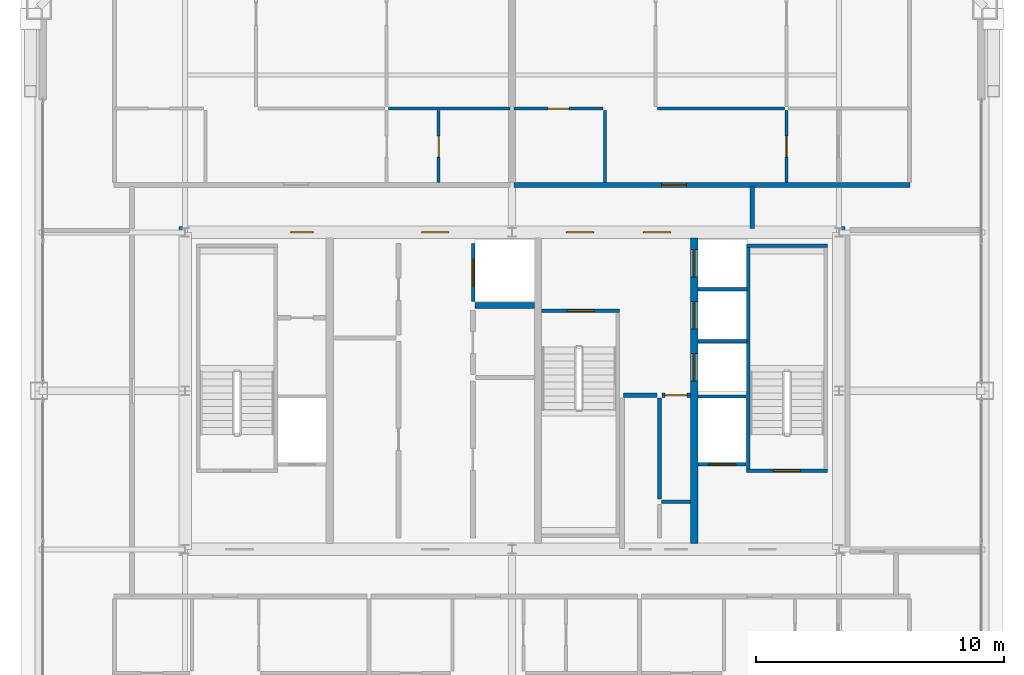
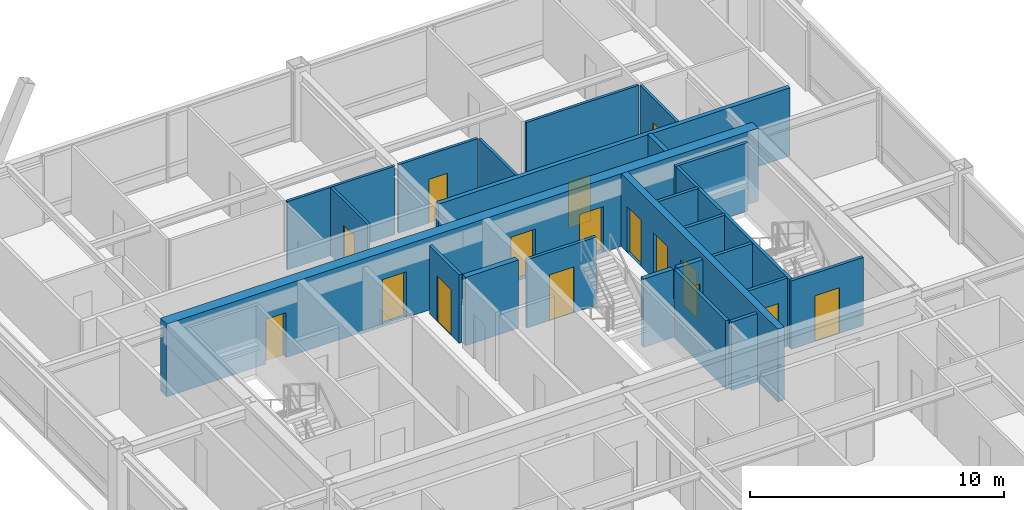
# One storey, part 32 of 35: 24 walls, 16 doors, 16 openings.
"""IFC4 building model written with IfcOpenShell, lengths in metres."""

from ifc_helpers import new_model, si_unit, direction, frame, frame_2d, origin, place, context, subcontext, project, spatial, rectangle, extrude, source, transform, mapped, material, layer, layer_set, type_object, element, fill, save


model = new_model("IFC4")

# Units and contexts
model_context = context("Model", 3, precision=1e-05, world=origin(), true_north=direction((0.0, 1.0)))
body_context = subcontext(model_context, "Body", "Model", "MODEL_VIEW")
ifc_project = project(units=[si_unit("LENGTHUNIT", "METRE"), si_unit("AREAUNIT", "SQUARE_METRE"), si_unit("VOLUMEUNIT", "CUBIC_METRE"), si_unit("PLANEANGLEUNIT", "RADIAN"), si_unit("MASSUNIT", "GRAM", prefix="KILO"), si_unit("THERMODYNAMICTEMPERATUREUNIT", "KELVIN"), si_unit("POWERUNIT", "WATT")], contexts=[model_context])

# Site, building, storey
site_placement = place(None, origin())
site = spatial("IfcSite", under=ifc_project, at=site_placement, CompositionType="ELEMENT")
building_placement = place(site_placement, origin())
building = spatial("IfcBuilding", under=site, at=building_placement, Name="Yuzanri Waterfront Tower", CompositionType="ELEMENT")
storey_placement = place(building_placement, frame((0.0, 0.0, 314.699951171875)))
storey = spatial("IfcBuildingStorey", under=building, at=storey_placement, Name="L84", CompositionType="ELEMENT", Elevation=314.699951171875)

# Wall, opening, door
ifc_material_1 = material(Name="Moisture-Resistant Gypsum Stud Wall", Category="gypsum")
ifc_layer_1 = layer(ifc_material_1, 0.1201171875)
ifc_layer_set_1 = layer_set([ifc_layer_1], Name="Moisture-Resistant Gypsum Stud Wall")
wall_type_1 = type_object("IfcWallType", Name="Bathroom and Kitchen Wet Partition 120", PredefinedType="PARTITIONING", material=ifc_layer_set_1)
wall_1_placement = place(storey_placement, frame((34.0400390625, 34.2099609375, 0.0), z_axis=(0.0, 0.0, 1.0), x_axis=(0.0, 1.0, 0.0)))
wall_1 = element("IfcWall", 1, at=wall_1_placement, inside=storey, type_object=wall_type_1, Name="L84 Partition UW-L84-HN1-SUB-2-W", PredefinedType="PARTITIONING", context=body_context, shape_type="SweptSolid", body=[
    extrude(rectangle(XDim=2.900146484375, YDim=0.1201171875, at=frame_2d((1.4501953125, 0.0))), origin(), (0.0, 0.0, 1.0), 3.280029296875),
])
opening_1_placement = place(wall_1_placement, frame((1.02490234375, 0.0, 0.0)))
opening_1 = element("IfcOpeningElement", 2, at=opening_1_placement, cuts=wall_1, Name="Opening ID-0850", PredefinedType="OPENING", context=body_context, shape_type="SweptSolid", body=[
    extrude(rectangle(XDim=0.85009765625, YDim=2.10009765625, at=frame_2d((0.425048828125, 1.050048828125))), frame((0.0, 0.074951171875, 0.0), z_axis=(0.0, -1.0, 0.0), x_axis=(1.0, 0.0, 0.0)), (0.0, 0.0, 1.0), 0.14990234375),
])
ifc_material_2 = material(Name="Moisture-Resistant Lacquered Timber", Category="wood")
door_type_1 = type_object("IfcDoorType", Name="En-Suite Bathroom and Kitchen Swing Door 850x2100", OperationType="NOTDEFINED", PredefinedType="DOOR", material=ifc_material_2)
shared_shape_1 = source(origin(), body_context, "Body", "SweptSolid", [
    extrude(rectangle(XDim=0.85009765625, YDim=2.10009765625, at=frame_2d((0.425048828125, 1.050048828125))), frame((0.0, 0.02490234375, 0.0), z_axis=(0.0, -1.0, 0.0), x_axis=(1.0, 0.0, 0.0)), (0.0, 0.0, 1.0), 0.050048828125),
])
door_1_placement = place(opening_1_placement, origin())
door_1 = element("IfcDoor", 3, at=door_1_placement, inside=storey, type_object=door_type_1, Name="L84 Suite Interior Room Door", OperationType="SINGLE_SWING_RIGHT", OverallHeight=2.10009765625, OverallWidth=0.85009765625, PredefinedType="DOOR", context=body_context, shape_type="MappedRepresentation", body=[
    mapped(shared_shape_1, transform((0.0, 0.0, 0.0), scale=1.0)),
])
fill(opening_1, door_1)

wall_2_placement = place(storey_placement, frame((37.080078125, 37.18994140625, 0.0), z_axis=(0.0, 0.0, 1.0), x_axis=(1.0, 0.0, 0.0)))
wall_2 = element("IfcWall", 4, at=wall_2_placement, inside=storey, type_object=wall_type_1, Name="L84 Partition UW-L84-HN2-SUB-1-N", PredefinedType="PARTITIONING", context=body_context, shape_type="SweptSolid", body=[
    extrude(rectangle(XDim=3.599853515625, YDim=0.1201171875, at=frame_2d((1.7998046875, 0.0))), origin(), (0.0, 0.0, 1.0), 3.280029296875),
])
opening_2_placement = place(wall_2_placement, frame((1.375, 0.0, 0.0)))
opening_2 = element("IfcOpeningElement", 5, at=opening_2_placement, cuts=wall_2, Name="Opening ID-0850", PredefinedType="OPENING", context=body_context, shape_type="SweptSolid", body=[
    extrude(rectangle(XDim=0.85009765625, YDim=2.10009765625, at=frame_2d((0.425048828125, 1.050048828125))), frame((0.0, 0.074951171875, 0.0), z_axis=(0.0, -1.0, 0.0), x_axis=(1.0, 0.0, 0.0)), (0.0, 0.0, 1.0), 0.14990234375),
])
door_2_placement = place(opening_2_placement, origin())
door_2 = element("IfcDoor", 6, at=door_2_placement, inside=storey, type_object=door_type_1, Name="L84 Suite Interior Room Door", OperationType="SINGLE_SWING_LEFT", OverallHeight=2.10009765625, OverallWidth=0.85009765625, PredefinedType="DOOR", context=body_context, shape_type="MappedRepresentation", body=[
    mapped(shared_shape_1, transform((0.0, 0.0, 0.0), scale=1.0)),
])
fill(opening_2, door_2)

wall_3_placement = place(storey_placement, frame((48.08203125, 34.2099609375, 0.0), z_axis=(0.0, 0.0, 1.0), x_axis=(0.0, 1.0, 0.0)))
wall_3 = element("IfcWall", 7, at=wall_3_placement, inside=storey, type_object=wall_type_1, Name="L84 Partition UW-L84-HN2-SUB-4-W", PredefinedType="PARTITIONING", context=body_context, shape_type="SweptSolid", body=[
    extrude(rectangle(XDim=2.900146484375, YDim=0.1201171875, at=frame_2d((1.4501953125, 0.0))), origin(), (0.0, 0.0, 1.0), 3.280029296875),
])
opening_3_placement = place(wall_3_placement, frame((1.02490234375, 0.0, 0.0)))
opening_3 = element("IfcOpeningElement", 8, at=opening_3_placement, cuts=wall_3, Name="Opening ID-0850", PredefinedType="OPENING", context=body_context, shape_type="SweptSolid", body=[
    extrude(rectangle(XDim=0.85009765625, YDim=2.10009765625, at=frame_2d((0.425048828125, 1.050048828125))), frame((0.0, 0.074951171875, 0.0), z_axis=(0.0, -1.0, 0.0), x_axis=(1.0, 0.0, 0.0)), (0.0, 0.0, 1.0), 0.14990234375),
])
door_3_placement = place(opening_3_placement, origin())
door_3 = element("IfcDoor", 9, at=door_3_placement, inside=storey, type_object=door_type_1, Name="L84 Suite Interior Room Door", OperationType="SINGLE_SWING_RIGHT", OverallHeight=2.10009765625, OverallWidth=0.85009765625, PredefinedType="DOOR", context=body_context, shape_type="MappedRepresentation", body=[
    mapped(shared_shape_1, transform((0.0, 0.0, 0.0), scale=1.0)),
])
fill(opening_3, door_3)

# Wall, openings, doors
ifc_material_3 = material(Name="Concrete C45", Category="concrete")
ifc_layer_2 = layer(ifc_material_3, 0.47998046875)
ifc_layer_set_2 = layer_set([ifc_layer_2], Name="Concrete C45")
wall_type_2 = type_object("IfcWallType", Name="Concrete C45 High-Rise Core Shear Wall 480", PredefinedType="SHEAR", material=ifc_layer_set_2)
wall_4_placement = place(storey_placement, frame((23.56005859375, 32.199951171875, 0.0), z_axis=(0.0, 0.0, 1.0), x_axis=(1.0, 0.0, 0.0)))
wall_4 = element("IfcWall", 10, at=wall_4_placement, inside=storey, type_object=wall_type_2, Name="L84 Core North Shear Wall", PredefinedType="SHEAR", context=body_context, shape_type="SweptSolid", body=[
    extrude(rectangle(XDim=26.8798828125, YDim=0.47998046875, at=frame_2d((13.43994140625, 0.0))), origin(), (0.0, 0.0, 1.0), 3.5),
])
opening_4_placement = place(wall_4_placement, frame((4.510009765625, 0.0, 0.0)))
opening_4 = element("IfcOpeningElement", 11, at=opening_4_placement, cuts=wall_4, Name="Opening FD-0900", PredefinedType="OPENING", context=body_context, shape_type="SweptSolid", body=[
    extrude(rectangle(XDim=0.89990234375, YDim=2.14990234375, at=frame_2d((0.449951171875, 1.074951171875))), frame((0.0, 0.2548828125, 0.0), z_axis=(0.0, -1.0, 0.0), x_axis=(1.0, 0.0, 0.0)), (0.0, 0.0, 1.0), 0.509765625),
])
opening_5_placement = place(wall_4_placement, frame((9.7900390625, 0.0, 0.0)))
opening_5 = element("IfcOpeningElement", 12, at=opening_5_placement, cuts=wall_4, Name="Opening FD-1100", PredefinedType="OPENING", context=body_context, shape_type="SweptSolid", body=[
    extrude(rectangle(XDim=1.10009765625, YDim=2.199951171875, at=frame_2d((0.550048828125, 1.10009765625))), frame((0.0, 0.2548828125, 0.0), z_axis=(0.0, -1.0, 0.0), x_axis=(1.0, 0.0, 0.0)), (0.0, 0.0, 1.0), 0.509765625),
])
opening_6_placement = place(wall_4_placement, frame((15.639892578125, 0.0, 0.0)))
opening_6 = element("IfcOpeningElement", 13, at=opening_6_placement, cuts=wall_4, Name="Opening FD-1100", PredefinedType="OPENING", context=body_context, shape_type="SweptSolid", body=[
    extrude(rectangle(XDim=1.10009765625, YDim=2.199951171875, at=frame_2d((0.550048828125, 1.10009765625))), frame((0.0, 0.2548828125, 0.0), z_axis=(0.0, -1.0, 0.0), x_axis=(1.0, 0.0, 0.0)), (0.0, 0.0, 1.0), 0.509765625),
])
opening_7_placement = place(wall_4_placement, frame((18.739990234375, 0.0, 0.0)))
opening_7 = element("IfcOpeningElement", 14, at=opening_7_placement, cuts=wall_4, Name="Opening FD-1100", PredefinedType="OPENING", context=body_context, shape_type="SweptSolid", body=[
    extrude(rectangle(XDim=1.10009765625, YDim=2.199951171875, at=frame_2d((0.550048828125, 1.10009765625))), frame((0.0, 0.2548828125, 0.0), z_axis=(0.0, -1.0, 0.0), x_axis=(1.0, 0.0, 0.0)), (0.0, 0.0, 1.0), 0.509765625),
])
ifc_material_4 = material(Name="Painted Galvanized Fire Steel", Category="steel")
door_type_2 = type_object("IfcDoorType", Name="Smoke-Proof Stair and Lobby Fire Door 1100x2200", OperationType="NOTDEFINED", PredefinedType="DOOR", material=ifc_material_4)
shared_shape_2 = source(origin(), body_context, "Body", "SweptSolid", [
    extrude(rectangle(XDim=1.10009765625, YDim=2.199951171875, at=frame_2d((0.550048828125, 1.10009765625))), frame((0.0, 0.02490234375, 0.0), z_axis=(0.0, -1.0, 0.0), x_axis=(1.0, 0.0, 0.0)), (0.0, 0.0, 1.0), 0.050048828125),
])
door_4_placement = place(opening_5_placement, origin())
door_4 = element("IfcDoor", 15, at=door_4_placement, inside=storey, type_object=door_type_2, Name="L84 Central Lift Lobby North Door", OperationType="SINGLE_SWING_LEFT", OverallHeight=2.199951171875, OverallWidth=1.10009765625, PredefinedType="DOOR", context=body_context, shape_type="MappedRepresentation", body=[
    mapped(shared_shape_2, transform((0.0, 0.0, 0.0), scale=1.0)),
])
fill(opening_5, door_4)
door_5_placement = place(opening_6_placement, origin())
door_5 = element("IfcDoor", 16, at=door_5_placement, inside=storey, type_object=door_type_2, Name="L84 North Stair Lobby Door", OperationType="SINGLE_SWING_RIGHT", OverallHeight=2.199951171875, OverallWidth=1.10009765625, PredefinedType="DOOR", context=body_context, shape_type="MappedRepresentation", body=[
    mapped(shared_shape_2, transform((0.0, 0.0, 0.0), scale=1.0)),
])
fill(opening_6, door_5)
door_6_placement = place(opening_7_placement, origin())
door_6 = element("IfcDoor", 17, at=door_6_placement, inside=storey, type_object=door_type_2, Name="L84 High-Rise Lift Lobby North Door", OperationType="SINGLE_SWING_LEFT", OverallHeight=2.199951171875, OverallWidth=1.10009765625, PredefinedType="DOOR", context=body_context, shape_type="MappedRepresentation", body=[
    mapped(shared_shape_2, transform((0.0, 0.0, 0.0), scale=1.0)),
])
fill(opening_7, door_6)
ifc_material_5 = material(Name="Painted Galvanized Fire Steel", Category="steel")
door_type_3 = type_object("IfcDoorType", Name="Riser and Service Room Fire Door 900x2150", OperationType="NOTDEFINED", PredefinedType="DOOR", material=ifc_material_5)
shared_shape_3 = source(origin(), body_context, "Body", "SweptSolid", [
    extrude(rectangle(XDim=0.89990234375, YDim=2.14990234375, at=frame_2d((0.449951171875, 1.074951171875))), frame((0.0, 0.02490234375, 0.0), z_axis=(0.0, -1.0, 0.0), x_axis=(1.0, 0.0, 0.0)), (0.0, 0.0, 1.0), 0.050048828125),
])
door_7_placement = place(opening_4_placement, origin())
door_7 = element("IfcDoor", 18, at=door_7_placement, inside=storey, type_object=door_type_3, Name="L84 Telecom Riser Door", OperationType="SINGLE_SWING_RIGHT", OverallHeight=2.14990234375, OverallWidth=0.89990234375, PredefinedType="DOOR", context=body_context, shape_type="MappedRepresentation", body=[
    mapped(shared_shape_3, transform((0.0, 0.0, 0.0), scale=1.0)),
])
fill(opening_4, door_7)

ifc_material_6 = material(Name="Concrete C50", Category="concrete")
ifc_layer_3 = layer(ifc_material_6, 0.300048828125)
ifc_layer_set_3 = layer_set([ifc_layer_3], Name="Concrete C50")
wall_type_3 = type_object("IfcWallType", Name="Concrete C50 Internal Core Shaft Structural Wall 300", PredefinedType="SOLIDWALL", material=ifc_layer_set_3)
wall_5_placement = place(storey_placement, frame((44.35009765625, 19.639892578125, 0.0), z_axis=(0.0, 0.0, 1.0), x_axis=(0.0, 1.0, 0.0)))
wall_5 = element("IfcWall", 19, at=wall_5_placement, inside=storey, type_object=wall_type_3, Name="L84 Core Internal Structural Web Wall 3", PredefinedType="SOLIDWALL", context=body_context, shape_type="SweptSolid", body=[
    extrude(rectangle(XDim=12.320068359375, YDim=0.300048828125, at=frame_2d((6.16015625, 0.0))), origin(), (0.0, 0.0, 1.0), 3.5),
])
opening_8_placement = place(wall_5_placement, frame((6.56005859375, 0.0, 0.0)))
opening_8 = element("IfcOpeningElement", 20, at=opening_8_placement, cuts=wall_5, Name="Opening LD-PL-09", PredefinedType="OPENING", context=body_context, shape_type="SweptSolid", body=[
    extrude(rectangle(XDim=1.10009765625, YDim=2.199951171875, at=frame_2d((0.550048828125, 1.10009765625))), frame((0.0, 0.1650390625, 0.0), z_axis=(0.0, -1.0, 0.0), x_axis=(1.0, 0.0, 0.0)), (0.0, 0.0, 1.0), 0.329833984375),
])
opening_9_placement = place(wall_5_placement, frame((8.659912109375, 0.0, 0.0)))
opening_9 = element("IfcOpeningElement", 21, at=opening_9_placement, cuts=wall_5, Name="Opening LD-PL-10", PredefinedType="OPENING", context=body_context, shape_type="SweptSolid", body=[
    extrude(rectangle(XDim=1.10009765625, YDim=2.199951171875, at=frame_2d((0.550048828125, 1.10009765625))), frame((0.0, 0.1650390625, 0.0), z_axis=(0.0, -1.0, 0.0), x_axis=(1.0, 0.0, 0.0)), (0.0, 0.0, 1.0), 0.329833984375),
])
opening_10_placement = place(wall_5_placement, frame((10.760009765625, 0.0, 0.0)))
opening_10 = element("IfcOpeningElement", 22, at=opening_10_placement, cuts=wall_5, Name="Opening LD-PL-11", PredefinedType="OPENING", context=body_context, shape_type="SweptSolid", body=[
    extrude(rectangle(XDim=1.10009765625, YDim=2.199951171875, at=frame_2d((0.550048828125, 1.10009765625))), frame((0.0, 0.1650390625, 0.0), z_axis=(0.0, -1.0, 0.0), x_axis=(1.0, 0.0, 0.0)), (0.0, 0.0, 1.0), 0.329833984375),
])
ifc_material_7 = material(Name="Brushed Bronze and Stainless Steel Cab", Category="steel")
door_type_4 = type_object("IfcDoorType", Name="Center-Parting Bronze Lift Landing Sliding Door 1100x2200", OperationType="NOTDEFINED", PredefinedType="DOOR", material=ifc_material_7)
shared_shape_4 = source(origin(), body_context, "Body", "SweptSolid", [
    extrude(rectangle(XDim=1.10009765625, YDim=2.199951171875, at=frame_2d((0.550048828125, 1.10009765625))), frame((0.0, 0.02490234375, 0.0), z_axis=(0.0, -1.0, 0.0), x_axis=(1.0, 0.0, 0.0)), (0.0, 0.0, 1.0), 0.050048828125),
])
door_8_placement = place(opening_8_placement, origin())
door_8 = element("IfcDoor", 23, at=door_8_placement, inside=storey, type_object=door_type_4, Name="L84 PL-09 Lift Landing Sliding Door", OperationType="SLIDING_TO_LEFT", OverallHeight=2.199951171875, OverallWidth=1.10009765625, PredefinedType="DOOR", context=body_context, shape_type="MappedRepresentation", body=[
    mapped(shared_shape_4, transform((0.0, 0.0, 0.0), scale=1.0)),
])
fill(opening_8, door_8)
door_9_placement = place(opening_9_placement, origin())
door_9 = element("IfcDoor", 24, at=door_9_placement, inside=storey, type_object=door_type_4, Name="L84 PL-10 Lift Landing Sliding Door", OperationType="SLIDING_TO_RIGHT", OverallHeight=2.199951171875, OverallWidth=1.10009765625, PredefinedType="DOOR", context=body_context, shape_type="MappedRepresentation", body=[
    mapped(shared_shape_4, transform((0.0, 0.0, 0.0), scale=1.0)),
])
fill(opening_9, door_9)
door_10_placement = place(opening_10_placement, origin())
door_10 = element("IfcDoor", 25, at=door_10_placement, inside=storey, type_object=door_type_4, Name="L84 PL-11 Lift Landing Sliding Door", OperationType="SLIDING_TO_LEFT", OverallHeight=2.199951171875, OverallWidth=1.10009765625, PredefinedType="DOOR", context=body_context, shape_type="MappedRepresentation", body=[
    mapped(shared_shape_4, transform((0.0, 0.0, 0.0), scale=1.0)),
])
fill(opening_10, door_10)

# Wall, opening, door
ifc_material_8 = material(Name="Concrete C40", Category="concrete")
ifc_layer_4 = layer(ifc_material_8, 0.139892578125)
ifc_layer_set_4 = layer_set([ifc_layer_4], Name="Concrete C40")
wall_type_4 = type_object("IfcWallType", Name="Core Stair Liner and Hoistway Shaft Wall 140", PredefinedType="SOLIDWALL", material=ifc_layer_set_4)
wall_6_placement = place(storey_placement, frame((44.52001953125, 22.830078125, 0.0), z_axis=(0.0, 0.0, 1.0), x_axis=(1.0, 0.0, 0.0)))
wall_6 = element("IfcWall", 26, at=wall_6_placement, inside=storey, type_object=wall_type_4, Name="L84 Lift FL-02 Front Shaft Wall", PredefinedType="SOLIDWALL", context=body_context, shape_type="SweptSolid", body=[
    extrude(rectangle(XDim=1.919921875, YDim=0.139892578125, at=frame_2d((0.9599609375, 0.0))), origin(), (0.0, 0.0, 1.0), 3.280029296875),
])
opening_11_placement = place(wall_6_placement, frame((0.409912109375, 0.0, 0.0)))
opening_11 = element("IfcOpeningElement", 27, at=opening_11_placement, cuts=wall_6, Name="Opening LD-FL-02", PredefinedType="OPENING", context=body_context, shape_type="SweptSolid", body=[
    extrude(rectangle(XDim=1.10009765625, YDim=2.199951171875, at=frame_2d((0.550048828125, 1.10009765625))), frame((0.0, 0.0849609375, 0.0), z_axis=(0.0, -1.0, 0.0), x_axis=(1.0, 0.0, 0.0)), (0.0, 0.0, 1.0), 0.169677734375),
])
door_11_placement = place(opening_11_placement, origin())
door_11 = element("IfcDoor", 28, at=door_11_placement, inside=storey, type_object=door_type_4, Name="L84 FL-02 Lift Landing Sliding Door", OperationType="SLIDING_TO_RIGHT", OverallHeight=2.199951171875, OverallWidth=1.10009765625, PredefinedType="DOOR", context=body_context, shape_type="MappedRepresentation", body=[
    mapped(shared_shape_4, transform((0.0, 0.0, 0.0), scale=1.0)),
])
fill(opening_11, door_11)

wall_7_placement = place(storey_placement, frame((35.429931640625, 29.39990234375, 0.0), z_axis=(0.0, 0.0, 1.0), x_axis=(0.0, 1.0, 0.0)))
wall_7 = element("IfcWall", 29, at=wall_7_placement, inside=storey, type_object=wall_type_4, Name="L84 Lift SL-02 Front Shaft Wall", PredefinedType="SOLIDWALL", context=body_context, shape_type="SweptSolid", body=[
    extrude(rectangle(XDim=2.340087890625, YDim=0.139892578125, at=frame_2d((1.169921875, 0.0))), origin(), (0.0, 0.0, 1.0), 3.280029296875),
])
opening_12_placement = place(wall_7_placement, frame((0.6201171875, 0.0, 0.0)))
opening_12 = element("IfcOpeningElement", 30, at=opening_12_placement, cuts=wall_7, Name="Opening LD-SL-02", PredefinedType="OPENING", context=body_context, shape_type="SweptSolid", body=[
    extrude(rectangle(XDim=1.10009765625, YDim=2.199951171875, at=frame_2d((0.550048828125, 1.10009765625))), frame((0.0, 0.0849609375, 0.0), z_axis=(0.0, -1.0, 0.0), x_axis=(1.0, 0.0, 0.0)), (0.0, 0.0, 1.0), 0.169677734375),
])
door_12_placement = place(opening_12_placement, origin())
door_12 = element("IfcDoor", 31, at=door_12_placement, inside=storey, type_object=door_type_4, Name="L84 SL-02 Lift Landing Sliding Door", OperationType="SLIDING_TO_RIGHT", OverallHeight=2.199951171875, OverallWidth=1.10009765625, PredefinedType="DOOR", context=body_context, shape_type="MappedRepresentation", body=[
    mapped(shared_shape_4, transform((0.0, 0.0, 0.0), scale=1.0)),
])
fill(opening_12, door_12)

wall_8_placement = place(storey_placement, frame((46.4599609375, 22.570068359375, 0.0), z_axis=(0.0, 0.0, 1.0), x_axis=(1.0, 0.0, 0.0)))
wall_8 = element("IfcWall", 32, at=wall_8_placement, inside=storey, type_object=wall_type_4, Name="L84 Shaft Wall STW-L84-ST-02-S", PredefinedType="SOLIDWALL", context=body_context, shape_type="SweptSolid", body=[
    extrude(rectangle(XDim=3.280029296875, YDim=0.139892578125, at=frame_2d((1.64013671875, 0.0))), origin(), (0.0, 0.0, 1.0), 3.280029296875),
])
opening_13_placement = place(wall_8_placement, frame((1.090087890625, 0.0, 0.0)))
opening_13 = element("IfcOpeningElement", 33, at=opening_13_placement, cuts=wall_8, Name="Opening FD-1100", PredefinedType="OPENING", context=body_context, shape_type="SweptSolid", body=[
    extrude(rectangle(XDim=1.10009765625, YDim=2.199951171875, at=frame_2d((0.550048828125, 1.10009765625))), frame((0.0, 0.0849609375, 0.0), z_axis=(0.0, -1.0, 0.0), x_axis=(1.0, 0.0, 0.0)), (0.0, 0.0, 1.0), 0.169677734375),
])
door_13_placement = place(opening_13_placement, origin())
door_13 = element("IfcDoor", 34, at=door_13_placement, inside=storey, type_object=door_type_2, Name="L84 Stair ST-02 Fire Door", OperationType="SINGLE_SWING_LEFT", OverallHeight=2.199951171875, OverallWidth=1.10009765625, PredefinedType="DOOR", context=body_context, shape_type="MappedRepresentation", body=[
    mapped(shared_shape_2, transform((0.0, 0.0, 0.0), scale=1.0)),
])
fill(opening_13, door_13)

wall_9_placement = place(storey_placement, frame((38.199951171875, 29.030029296875, 0.0), z_axis=(0.0, 0.0, 1.0), x_axis=(1.0, 0.0, 0.0)))
wall_9 = element("IfcWall", 35, at=wall_9_placement, inside=storey, type_object=wall_type_4, Name="L84 Shaft Wall STW-L84-ST-03-N", PredefinedType="SOLIDWALL", context=body_context, shape_type="SweptSolid", body=[
    extrude(rectangle(XDim=3.14013671875, YDim=0.139892578125, at=frame_2d((1.570068359375, 0.0))), origin(), (0.0, 0.0, 1.0), 3.280029296875),
])
opening_14_placement = place(wall_9_placement, frame((1.02001953125, 0.0, 0.0)))
opening_14 = element("IfcOpeningElement", 36, at=opening_14_placement, cuts=wall_9, Name="Opening FD-1100", PredefinedType="OPENING", context=body_context, shape_type="SweptSolid", body=[
    extrude(rectangle(XDim=1.10009765625, YDim=2.199951171875, at=frame_2d((0.550048828125, 1.10009765625))), frame((0.0, 0.0849609375, 0.0), z_axis=(0.0, -1.0, 0.0), x_axis=(1.0, 0.0, 0.0)), (0.0, 0.0, 1.0), 0.169677734375),
])
door_14_placement = place(opening_14_placement, origin())
door_14 = element("IfcDoor", 37, at=door_14_placement, inside=storey, type_object=door_type_2, Name="L84 Stair ST-03 Fire Door", OperationType="SINGLE_SWING_RIGHT", OverallHeight=2.199951171875, OverallWidth=1.10009765625, PredefinedType="DOOR", context=body_context, shape_type="MappedRepresentation", body=[
    mapped(shared_shape_2, transform((0.0, 0.0, 0.0), scale=1.0)),
])
fill(opening_14, door_14)

ifc_material_9 = material(Name="Autoclaved Aerated Concrete Blockwork", Category="masonry")
ifc_layer_5 = layer(ifc_material_9, 0.199951171875)
ifc_layer_set_5 = layer_set([ifc_layer_5], Name="Autoclaved Aerated Concrete Blockwork")
wall_type_5 = type_object("IfcWallType", Name="Corridor and Unit Party Fire Wall 200", PredefinedType="PARTITIONING", material=ifc_layer_set_5)
wall_10_placement = place(storey_placement, frame((43.050048828125, 25.6201171875, 0.0), z_axis=(0.0, 0.0, 1.0), x_axis=(1.0, 0.0, 0.0)))
wall_10 = element("IfcWall", 38, at=wall_10_placement, inside=storey, type_object=wall_type_5, Name="L84 Partition CRW-L84-BOHH-2", PredefinedType="PARTITIONING", context=body_context, shape_type="SweptSolid", body=[
    extrude(rectangle(XDim=1.14990234375, YDim=0.199951171875, at=frame_2d((0.574951171875, 0.0))), origin(), (0.0, 0.0, 1.0), 3.280029296875),
])
opening_15_placement = place(wall_10_placement, frame((0.1201171875, 0.0, 0.0)))
opening_15 = element("IfcOpeningElement", 39, at=opening_15_placement, cuts=wall_10, Name="Opening FD-0900", PredefinedType="OPENING", context=body_context, shape_type="SweptSolid", body=[
    extrude(rectangle(XDim=0.89990234375, YDim=2.14990234375, at=frame_2d((0.449951171875, 1.074951171875))), frame((0.0, 0.11474609375, 0.0), z_axis=(0.0, -1.0, 0.0), x_axis=(1.0, 0.0, 0.0)), (0.0, 0.0, 1.0), 0.229736328125),
])
door_15_placement = place(opening_15_placement, origin())
door_15 = element("IfcDoor", 40, at=door_15_placement, inside=storey, type_object=door_type_3, Name="L84 Linen Store Room", OperationType="SINGLE_SWING_LEFT", OverallHeight=2.14990234375, OverallWidth=0.89990234375, PredefinedType="DOOR", context=body_context, shape_type="MappedRepresentation", body=[
    mapped(shared_shape_3, transform((0.0, 0.0, 0.0), scale=1.0)),
])
fill(opening_15, door_15)

wall_11_placement = place(storey_placement, frame((37.080078125, 34.110107421875, 0.0), z_axis=(0.0, 0.0, 1.0), x_axis=(1.0, 0.0, 0.0)))
wall_11 = element("IfcWall", 41, at=wall_11_placement, inside=storey, type_object=wall_type_5, Name="L84 Partition UW-L84-HN2-CS", PredefinedType="PARTITIONING", context=body_context, shape_type="SweptSolid", body=[
    extrude(rectangle(XDim=15.97998046875, YDim=0.199951171875, at=frame_2d((7.989990234375, 0.0))), origin(), (0.0, 0.0, 1.0), 3.280029296875),
])
opening_16_placement = place(wall_11_placement, frame((5.965087890625, 0.0, 0.0)))
opening_16 = element("IfcOpeningElement", 42, at=opening_16_placement, cuts=wall_11, Name="Opening FD-1000", PredefinedType="OPENING", context=body_context, shape_type="SweptSolid", body=[
    extrude(rectangle(XDim=1.0, YDim=2.199951171875, at=frame_2d((0.5, 1.10009765625))), frame((0.0, 0.11474609375, 0.0), z_axis=(0.0, -1.0, 0.0), x_axis=(1.0, 0.0, 0.0)), (0.0, 0.0, 1.0), 0.229736328125),
])
ifc_material_10 = material(Name="Engineered Oak Fire-Rated Timber", Category="wood")
door_type_5 = type_object("IfcDoorType", Name="Guestroom and Apartment Entrance Fire Door 1000x2200", OperationType="NOTDEFINED", PredefinedType="DOOR", material=ifc_material_10)
shared_shape_5 = source(origin(), body_context, "Body", "SweptSolid", [
    extrude(rectangle(XDim=1.0, YDim=2.199951171875, at=frame_2d((0.5, 1.10009765625))), frame((0.0, 0.02490234375, 0.0), z_axis=(0.0, -1.0, 0.0), x_axis=(1.0, 0.0, 0.0)), (0.0, 0.0, 1.0), 0.050048828125),
])
door_16_placement = place(opening_16_placement, origin())
door_16 = element("IfcDoor", 43, at=door_16_placement, inside=storey, type_object=door_type_5, Name="L84 Apartment Living Room Entrance Door", OperationType="SINGLE_SWING_RIGHT", OverallHeight=2.199951171875, OverallWidth=1.0, PredefinedType="DOOR", context=body_context, shape_type="MappedRepresentation", body=[
    mapped(shared_shape_5, transform((0.0, 0.0, 0.0), scale=1.0)),
])
fill(opening_16, door_16)

# Walls
shared_shape_6 = source(origin(), body_context, "Body", "SweptSolid", [
    extrude(rectangle(XDim=1.919921875, YDim=0.139892578125, at=frame_2d((0.9599609375, 0.0))), origin(), (0.0, 0.0, 1.0), 3.280029296875),
])
wall_12_placement = place(storey_placement, frame((44.52001953125, 25.570068359375, 0.0), z_axis=(0.0, 0.0, 1.0), x_axis=(1.0, 0.0, 0.0)))
element("IfcWall", 44, at=wall_12_placement, inside=storey, type_object=wall_type_4, Name="L84 Lift FL-02 Back Shaft Wall", PredefinedType="SOLIDWALL", context=body_context, shape_type="MappedRepresentation", body=[
    mapped(shared_shape_6, transform((0.0, 0.0, 0.0), scale=1.0)),
])
ifc_material_11 = material(Name="Concrete C40", Category="concrete")
ifc_layer_6 = layer(ifc_material_11, 0.25)
ifc_layer_set_6 = layer_set([ifc_layer_6], Name="Concrete C40")
wall_type_6 = type_object("IfcWallType", Name="Smoke-Proof Stair and Lift Shaft Wall 250", PredefinedType="SOLIDWALL", material=ifc_layer_set_6)
shared_shape_7 = source(origin(), body_context, "Body", "SweptSolid", [
    extrude(rectangle(XDim=2.39990234375, YDim=0.25, at=frame_2d((1.199951171875, 0.0))), origin(), (0.0, 0.0, 1.0), 3.280029296875),
])
wall_13_placement = place(storey_placement, frame((35.5, 29.25, 0.0), z_axis=(0.0, 0.0, 1.0), x_axis=(1.0, 0.0, 0.0)))
element("IfcWall", 45, at=wall_13_placement, inside=storey, type_object=wall_type_6, Name="L84 Lift SL-02 South Shaft Wall", PredefinedType="SOLIDWALL", context=body_context, shape_type="MappedRepresentation", body=[
    mapped(shared_shape_7, transform((0.0, 0.0, 0.0), scale=1.0)),
])
shared_shape_8 = source(origin(), body_context, "Body", "SweptSolid", [
    extrude(rectangle(XDim=2.0, YDim=0.139892578125, at=frame_2d((1.0, 0.0))), origin(), (0.0, 0.0, 1.0), 3.280029296875),
])
for number, where, z_axis, x_axis, name in (
    (46, (44.5, 27.800048828125, 0.0), (0.0, 0.0, 1.0), (1.0, 0.0, 0.0), "L84 Lift PL-09 Divider Wall"),
    (47, (44.5, 29.89990234375, 0.0), (0.0, 0.0, 1.0), (1.0, 0.0, 0.0), "L84 Lift PL-10 Divider Wall"),
):
    element("IfcWall", number, at=place(storey_placement, frame(where, z_axis=z_axis, x_axis=x_axis)), inside=storey, type_object=wall_type_4, Name=name, PredefinedType="SOLIDWALL", context=body_context, shape_type="MappedRepresentation", body=[
        mapped(shared_shape_8, transform((0.0, 0.0, 0.0), scale=1.0)),
    ])
shared_shape_9 = source(origin(), body_context, "Body", "SweptSolid", [
    extrude(rectangle(XDim=3.280029296875, YDim=0.139892578125, at=frame_2d((1.64013671875, 0.0))), origin(), (0.0, 0.0, 1.0), 3.280029296875),
])
wall_14_placement = place(storey_placement, frame((46.4599609375, 31.64990234375, 0.0), z_axis=(0.0, 0.0, 1.0), x_axis=(1.0, 0.0, 0.0)))
element("IfcWall", 48, at=wall_14_placement, inside=storey, type_object=wall_type_4, Name="L84 Stair ST-02 North Shaft Wall", PredefinedType="SOLIDWALL", context=body_context, shape_type="MappedRepresentation", body=[
    mapped(shared_shape_9, transform((0.0, 0.0, 0.0), scale=1.0)),
])
shared_shape_10 = source(origin(), body_context, "Body", "SweptSolid", [
    extrude(rectangle(XDim=8.940185546875, YDim=0.139892578125, at=frame_2d((4.47021484375, 0.0))), origin(), (0.0, 0.0, 1.0), 3.280029296875),
])
wall_15_placement = place(storey_placement, frame((46.530029296875, 22.639892578125, 0.0), z_axis=(0.0, 0.0, 1.0), x_axis=(0.0, 1.0, 0.0)))
element("IfcWall", 49, at=wall_15_placement, inside=storey, type_object=wall_type_4, Name="L84 Stair ST-02 West Shaft Wall", PredefinedType="SOLIDWALL", context=body_context, shape_type="MappedRepresentation", body=[
    mapped(shared_shape_10, transform((0.0, 0.0, 0.0), scale=1.0)),
])
ifc_material_12 = material(Name="Gypsum Fireboard Acoustic Stud Wall", Category="gypsum")
ifc_layer_7 = layer(ifc_material_12, 0.159912109375)
ifc_layer_set_7 = layer_set([ifc_layer_7], Name="Gypsum Fireboard Acoustic Stud Wall")
wall_type_7 = type_object("IfcWallType", Name="Acoustic Suite Demising Partition 160", PredefinedType="PARTITIONING", material=ifc_layer_set_7)
shared_shape_11 = source(origin(), body_context, "Body", "SweptSolid", [
    extrude(rectangle(XDim=1.169921875, YDim=0.159912109375, at=frame_2d((0.5849609375, 0.0))), origin(), (0.0, 0.0, 1.0), 3.280029296875),
])
wall_16_placement = place(storey_placement, frame((43.030029296875, 21.320068359375, 0.0), z_axis=(0.0, 0.0, 1.0), x_axis=(1.0, 0.0, 0.0)))
element("IfcWall", 50, at=wall_16_placement, inside=storey, type_object=wall_type_7, Name="L84 East Wet Riser North Wall", PredefinedType="PARTITIONING", context=body_context, shape_type="MappedRepresentation", body=[
    mapped(shared_shape_11, transform((0.0, 0.0, 0.0), scale=1.0)),
])
shared_shape_12 = source(origin(), body_context, "Body", "SweptSolid", [
    extrude(rectangle(XDim=1.35009765625, YDim=0.199951171875, at=frame_2d((0.675048828125, 0.0))), origin(), (0.0, 0.0, 1.0), 3.280029296875),
])
wall_17_placement = place(storey_placement, frame((41.5, 25.6201171875, 0.0), z_axis=(0.0, 0.0, 1.0), x_axis=(1.0, 0.0, 0.0)))
element("IfcWall", 51, at=wall_17_placement, inside=storey, type_object=wall_type_5, Name="L84 Core BOH Split Wall 1", PredefinedType="PARTITIONING", context=body_context, shape_type="MappedRepresentation", body=[
    mapped(shared_shape_12, transform((0.0, 0.0, 0.0), scale=1.0)),
])
shared_shape_13 = source(origin(), body_context, "Body", "SweptSolid", [
    extrude(rectangle(XDim=4.06005859375, YDim=0.159912109375, at=frame_2d((2.030029296875, 0.0))), origin(), (0.0, 0.0, 1.0), 3.280029296875),
])
wall_18_placement = place(storey_placement, frame((42.949951171875, 21.43994140625, 0.0), z_axis=(0.0, 0.0, 1.0), x_axis=(0.0, 1.0, 0.0)))
element("IfcWall", 52, at=wall_18_placement, inside=storey, type_object=wall_type_7, Name="L84 Core BOH Mid Wall 2", PredefinedType="PARTITIONING", context=body_context, shape_type="MappedRepresentation", body=[
    mapped(shared_shape_13, transform((0.0, 0.0, 0.0), scale=1.0)),
])
shared_shape_14 = source(origin(), body_context, "Body", "SweptSolid", [
    extrude(rectangle(XDim=1.699951171875, YDim=0.199951171875, at=frame_2d((0.85009765625, 0.0))), origin(), (0.0, 0.0, 1.0), 3.280029296875),
])
wall_19_placement = place(storey_placement, frame((46.699951171875, 32.35009765625, 0.0), z_axis=(0.0, 0.0, 1.0), x_axis=(0.0, 1.0, 0.0)))
element("IfcWall", 53, at=wall_19_placement, inside=storey, type_object=wall_type_5, Name="L84 North Foyer East End Wall", PredefinedType="PARTITIONING", context=body_context, shape_type="MappedRepresentation", body=[
    mapped(shared_shape_14, transform((0.0, 0.0, 0.0), scale=1.0)),
])
shared_shape_15 = source(origin(), body_context, "Body", "SweptSolid", [
    extrude(rectangle(XDim=2.900146484375, YDim=0.1201171875, at=frame_2d((1.4501953125, 0.0))), origin(), (0.0, 0.0, 1.0), 3.280029296875),
])
wall_20_placement = place(storey_placement, frame((40.760009765625, 34.2099609375, 0.0), z_axis=(0.0, 0.0, 1.0), x_axis=(0.0, 1.0, 0.0)))
element("IfcWall", 54, at=wall_20_placement, inside=storey, type_object=wall_type_1, Name="L84 Partition UW-L84-HN2-SUB-1-E", PredefinedType="PARTITIONING", context=body_context, shape_type="MappedRepresentation", body=[
    mapped(shared_shape_15, transform((0.0, 0.0, 0.0), scale=1.0)),
])
shared_shape_16 = source(origin(), body_context, "Body", "SweptSolid", [
    extrude(rectangle(XDim=4.89794921875, YDim=0.1201171875, at=frame_2d((2.448974609375, 0.0))), origin(), (0.0, 0.0, 1.0), 3.280029296875),
])
wall_21_placement = place(storey_placement, frame((32.02197265625, 37.18994140625, 0.0), z_axis=(0.0, 0.0, 1.0), x_axis=(1.0, 0.0, 0.0)))
element("IfcWall", 55, at=wall_21_placement, inside=storey, type_object=wall_type_1, Name="L84 Partition UW-L84-HN1-SUB-3-S", PredefinedType="PARTITIONING", context=body_context, shape_type="MappedRepresentation", body=[
    mapped(shared_shape_16, transform((0.0, 0.0, 0.0), scale=1.0)),
])
shared_shape_17 = source(origin(), body_context, "Body", "SweptSolid", [
    extrude(rectangle(XDim=5.1220703125, YDim=0.1201171875, at=frame_2d((2.56103515625, 0.0))), origin(), (0.0, 0.0, 1.0), 3.280029296875),
])
wall_22_placement = place(storey_placement, frame((42.8798828125, 37.18994140625, 0.0), z_axis=(0.0, 0.0, 1.0), x_axis=(1.0, 0.0, 0.0)))
element("IfcWall", 56, at=wall_22_placement, inside=storey, type_object=wall_type_1, Name="L84 Partition UW-L84-HN2-SUB-5-S", PredefinedType="PARTITIONING", context=body_context, shape_type="MappedRepresentation", body=[
    mapped(shared_shape_17, transform((0.0, 0.0, 0.0), scale=1.0)),
])

save(model, "model.ifc")
